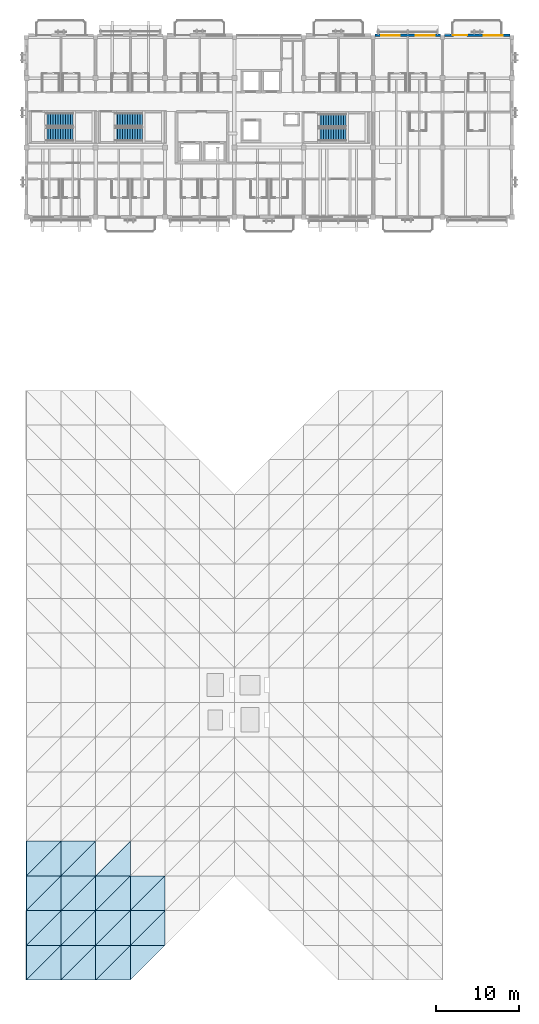
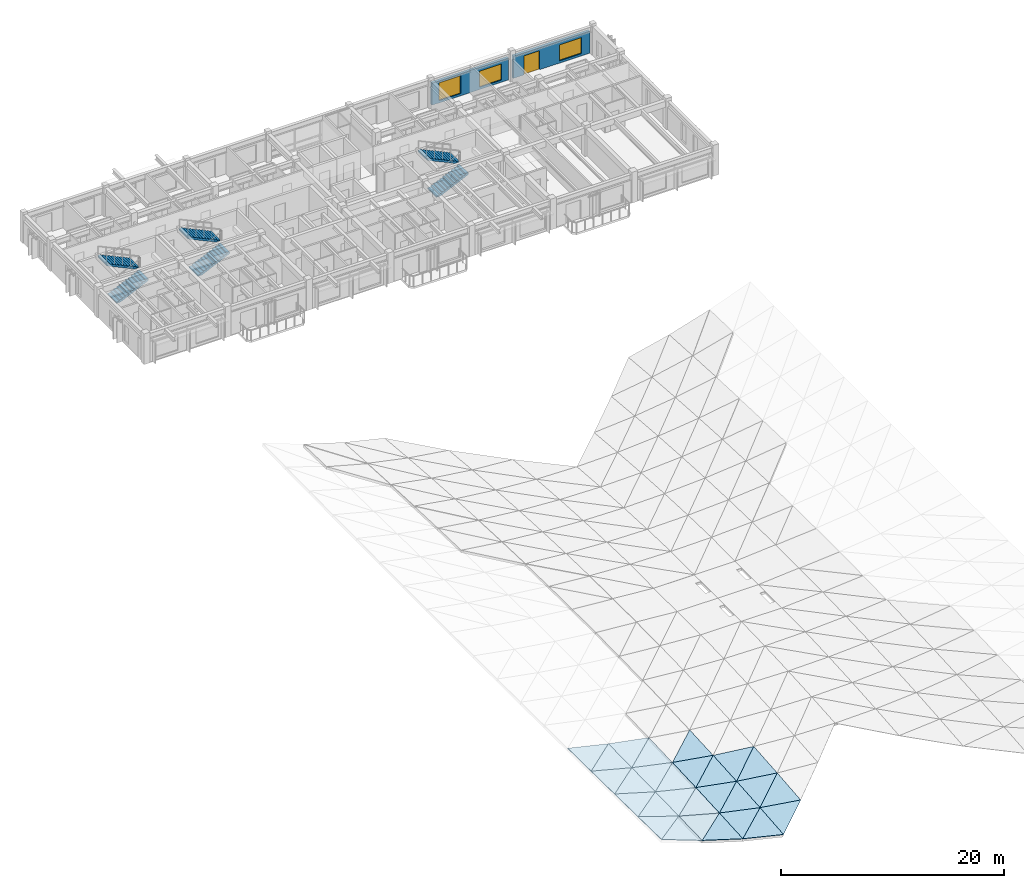
# One storey, part 18 of 31: 28 roofs, 6 stair flights, 3 windows, 2 walls, 1 door, 4 openings, 3 elements without a shape of their own.
"""IFC4 building model written with IfcOpenShell, lengths in metres."""

from ifc_helpers import new_model, si_unit, direction, frame, frame_2d, origin, place, context, subcontext, project, spatial, polyline, rectangle, outline, extrude, material, layer, layer_set, type_object, element, fill, aggregate, save


model = new_model("IFC4")

# Units and contexts
model_context = context("Model", 3, precision=1e-05, world=origin(), true_north=direction((0.0, 1.0)))
body_context = subcontext(model_context, "Body", "Model", "MODEL_VIEW")
ifc_project = project(units=[si_unit("LENGTHUNIT", "METRE"), si_unit("AREAUNIT", "SQUARE_METRE"), si_unit("VOLUMEUNIT", "CUBIC_METRE"), si_unit("PLANEANGLEUNIT", "RADIAN"), si_unit("MASSUNIT", "GRAM", prefix="KILO")], contexts=[model_context])

# Site, building, storey
site_placement = place(None, origin())
site = spatial("IfcSite", under=ifc_project, at=site_placement, CompositionType="ELEMENT")
building_placement = place(site_placement, origin())
building = spatial("IfcBuilding", under=site, at=building_placement, Name="Cumbredor Promenade Congress Hotel", CompositionType="ELEMENT")
storey_placement = place(building_placement, frame((0.0, 0.0, 31.919921875)))
storey = spatial("IfcBuildingStorey", under=building, at=storey_placement, Name="L09", CompositionType="ELEMENT", Elevation=31.919921875)

# Wall, openings, windows
ifc_material_1 = material(Name="Concrete C40/50", Category="concrete")
ifc_layer_1 = layer(ifc_material_1, 0.260009765625, Name="Concrete C40/50", Category="concrete")
ifc_layer_set_1 = layer_set([ifc_layer_1], Name="Concrete C40/50")
wall_type_1 = type_object("IfcWallType", Name="WL-EXT-260", PredefinedType="SOLIDWALL", material=ifc_layer_set_1)
wall_1_placement = place(storey_placement, frame((50.65087890625, 114.39990234375, 0.0), z_axis=(0.0, 0.0, 1.0), x_axis=(1.0, 0.0, 0.0)))
wall_1 = element("IfcWall", 1, at=wall_1_placement, inside=storey, type_object=wall_type_1, Name="L09 Stepped Congress Hotel Wing North Envelope Wall 6", PredefinedType="SOLIDWALL", context=body_context, shape_type="SweptSolid", body=[
    extrude(rectangle(XDim=7.898193359375, YDim=0.260009765625, at=frame_2d((3.94921875, 0.0))), origin(), (0.0, 0.0, 1.0), 2.4140625),
])
opening_1_placement = place(wall_1_placement, frame((0.72412109375, 0.0, 0.25)))
opening_1 = element("IfcOpeningElement", 2, at=opening_1_placement, cuts=wall_1, Name="Opening WN-07", PredefinedType="OPENING", context=body_context, shape_type="SweptSolid", body=[
    extrude(rectangle(XDim=2.25, YDim=1.949951171875, at=frame_2d((1.125, 0.97509765625))), frame((0.0, 0.14013671875, 0.0), z_axis=(0.0, -1.0, 0.0), x_axis=(1.0, 0.0, 0.0)), (0.0, 0.0, 1.0), 0.280029296875),
])
opening_2_placement = place(wall_1_placement, frame((4.89892578125, 0.0, 0.25)))
opening_2 = element("IfcOpeningElement", 3, at=opening_2_placement, cuts=wall_1, Name="Opening WN-25", PredefinedType="OPENING", context=body_context, shape_type="SweptSolid", body=[
    extrude(rectangle(XDim=2.300048828125, YDim=1.75, at=frame_2d((1.14990234375, 0.875))), frame((0.0, 0.14013671875, 0.0), z_axis=(0.0, -1.0, 0.0), x_axis=(1.0, 0.0, 0.0)), (0.0, 0.0, 1.0), 0.280029296875),
])
ifc_material_2 = material(Name="Thermally broken anodized aluminium and low-E glass", Category="aluminium")
window_type_1 = type_object("IfcWindowType", Name="Hospitality Floor-to-Ceiling Window WN-07 2250x1950", PartitioningType="DOUBLE_PANEL_VERTICAL", PredefinedType="WINDOW", material=ifc_material_2)
window_1_placement = place(opening_1_placement, origin())
window_1 = element("IfcWindow", 4, at=window_1_placement, inside=storey, type_object=window_type_1, Name="L09 Wide Hospitality Window 0695", OverallHeight=1.949951171875, OverallWidth=2.25, PartitioningType="DOUBLE_PANEL_VERTICAL", PredefinedType="WINDOW", context=body_context, shape_type="SweptSolid", body=[
    extrude(rectangle(XDim=2.25, YDim=1.949951171875, at=frame_2d((1.125, 0.97509765625))), frame((0.0, 0.030029296875, 0.0), z_axis=(0.0, -1.0, 0.0), x_axis=(1.0, 0.0, 0.0)), (0.0, 0.0, 1.0), 0.06005859375),
])
fill(opening_1, window_1)
window_type_2 = type_object("IfcWindowType", Name="Hospitality Floor-to-Ceiling Window WN-25 2300x1750", PartitioningType="DOUBLE_PANEL_VERTICAL", PredefinedType="WINDOW", material=ifc_material_2)
window_2_placement = place(opening_2_placement, origin())
window_2 = element("IfcWindow", 5, at=window_2_placement, inside=storey, type_object=window_type_2, Name="L09 Wide Hospitality Window 0696", OverallHeight=1.75, OverallWidth=2.300048828125, PartitioningType="DOUBLE_PANEL_VERTICAL", PredefinedType="WINDOW", context=body_context, shape_type="SweptSolid", body=[
    extrude(rectangle(XDim=2.300048828125, YDim=1.75, at=frame_2d((1.14990234375, 0.875))), frame((0.0, 0.030029296875, 0.0), z_axis=(0.0, -1.0, 0.0), x_axis=(1.0, 0.0, 0.0)), (0.0, 0.0, 1.0), 0.06005859375),
])
fill(opening_2, window_2)

# Wall, openings, door, window
ifc_layer_2 = layer(ifc_material_1, 0.280029296875, Name="Concrete C40/50", Category="concrete")
ifc_layer_set_2 = layer_set([ifc_layer_2], Name="Concrete C40/50")
wall_type_2 = type_object("IfcWallType", Name="WL-EXT-280", PredefinedType="SOLIDWALL", material=ifc_layer_set_2)
wall_2_placement = place(storey_placement, frame((59.051025390625, 114.39990234375, 0.0), z_axis=(0.0, 0.0, 1.0), x_axis=(1.0, 0.0, 0.0)))
wall_2 = element("IfcWall", 6, at=wall_2_placement, inside=storey, type_object=wall_type_2, Name="L09 Stepped Congress Hotel Wing North Envelope Wall 7", PredefinedType="SOLIDWALL", context=body_context, shape_type="SweptSolid", body=[
    extrude(rectangle(XDim=7.89794921875, YDim=0.280029296875, at=frame_2d((3.948974609375, 0.0))), origin(), (0.0, 0.0, 1.0), 2.4140625),
])
opening_3_placement = place(wall_2_placement, frame((1.073974609375, 0.0, 0.0)))
opening_3 = element("IfcOpeningElement", 7, at=opening_3_placement, cuts=wall_2, Name="Opening TD-02", PredefinedType="OPENING", context=body_context, shape_type="SweptSolid", body=[
    extrude(rectangle(XDim=1.64990234375, YDim=2.080078125, at=frame_2d((0.824951171875, 1.0400390625))), frame((0.0, 0.14990234375, 0.0), z_axis=(0.0, -1.0, 0.0), x_axis=(1.0, 0.0, 0.0)), (0.0, 0.0, 1.0), 0.300048828125),
])
opening_4_placement = place(wall_2_placement, frame((4.7490234375, 0.0, 0.25)))
opening_4 = element("IfcOpeningElement", 8, at=opening_4_placement, cuts=wall_2, Name="Opening WN-25", PredefinedType="OPENING", context=body_context, shape_type="SweptSolid", body=[
    extrude(rectangle(XDim=2.300048828125, YDim=1.75, at=frame_2d((1.14990234375, 0.875))), frame((0.0, 0.14990234375, 0.0), z_axis=(0.0, -1.0, 0.0), x_axis=(1.0, 0.0, 0.0)), (0.0, 0.0, 1.0), 0.300048828125),
])
ifc_material_3 = material(Name="Thermally broken anodized aluminium and laminated safety glass", Category="aluminium")
door_type = type_object("IfcDoorType", Name="EXT-DR-TER-1650x2080", OperationType="DOUBLE_DOOR_SINGLE_SWING", PredefinedType="DOOR", material=ifc_material_3)
door_placement = place(opening_3_placement, origin())
door = element("IfcDoor", 9, at=door_placement, inside=storey, type_object=door_type, Name="L09 Guestroom Veranda Balcony Door 094", OperationType="DOUBLE_DOOR_SINGLE_SWING", OverallHeight=2.080078125, OverallWidth=1.64990234375, PredefinedType="DOOR", context=body_context, shape_type="SweptSolid", body=[
    extrude(rectangle(XDim=1.64990234375, YDim=2.080078125, at=frame_2d((0.824951171875, 1.0400390625))), frame((0.0, 0.02490234375, 0.0), z_axis=(0.0, -1.0, 0.0), x_axis=(1.0, 0.0, 0.0)), (0.0, 0.0, 1.0), 0.050048828125),
])
fill(opening_3, door)
window_3_placement = place(opening_4_placement, origin())
window_3 = element("IfcWindow", 10, at=window_3_placement, inside=storey, type_object=window_type_2, Name="L09 Veranda Companion Floor-to-Ceiling Window 0697", OverallHeight=1.75, OverallWidth=2.300048828125, PartitioningType="DOUBLE_PANEL_VERTICAL", PredefinedType="WINDOW", context=body_context, shape_type="SweptSolid", body=[
    extrude(rectangle(XDim=2.300048828125, YDim=1.75, at=frame_2d((1.14990234375, 0.875))), frame((0.0, 0.030029296875, 0.0), z_axis=(0.0, -1.0, 0.0), x_axis=(1.0, 0.0, 0.0)), (0.0, 0.0, 1.0), 0.06005859375),
])
fill(opening_4, window_3)

# Stair, stair flights
stair_type_1 = type_object("IfcStairType", Name="Protected Dog-Leg Exit Stair ST-T1 1550mm", PredefinedType="HALF_TURN_STAIR", material=ifc_material_1)
stair_1_placement = place(storey_placement, origin())
stair_1 = element("IfcStair", 11, at=stair_1_placement, inside=storey, type_object=stair_type_1, Name="L09 Protected Exit Stair ST-03", PredefinedType="HALF_TURN_STAIR")
stair_flight_type_1 = type_object("IfcStairFlightType", Name="Concrete Stair Flight SFL-T1 1550mm", PredefinedType="STRAIGHT", material=ifc_material_1)
stair_flight_1_placement = place(storey_placement, frame((43.800048828125, 102.39501953125, 0.0), z_axis=(0.0, 0.0, 1.0), x_axis=(1.0, 0.0, 0.0)))
stair_flight_1 = element("IfcStairFlight", 12, at=stair_flight_1_placement, type_object=stair_flight_type_1, Name="ST-03 flight 1", NumberOfRisers=12, NumberOfTreads=11, PredefinedType="STRAIGHT", RiserHeight=0.14, TreadLength=0.3, context=body_context, shape_type="SweptSolid", body=[
    extrude(outline(polyline([(0.0, 0.0), (0.0, 0.139892578125), (0.300048828125, 0.139892578125), (0.300048828125, 0.280029296875), (0.60009765625, 0.280029296875), (0.60009765625, 0.419921875), (0.89990234375, 0.419921875), (0.89990234375, 0.56005859375), (1.199951171875, 0.56005859375), (1.199951171875, 0.699951171875), (1.5, 0.699951171875), (1.5, 0.840087890625), (1.800048828125, 0.840087890625), (1.800048828125, 0.97998046875), (2.10009765625, 0.97998046875), (2.10009765625, 1.1201171875), (2.39990234375, 1.1201171875), (2.39990234375, 1.260009765625), (2.699951171875, 1.260009765625), (2.699951171875, 1.39990234375), (3.0, 1.39990234375), (3.0, 1.5400390625), (3.300048828125, 1.5400390625), (3.300048828125, 1.679931640625), (3.300048828125, 1.341552734375), (0.425537109375, 0.0), (0.0, 0.0)])), frame((0.0, 0.77490234375, 0.0), z_axis=(0.0, -1.0, 0.0), x_axis=(1.0, 0.0, 0.0)), (0.0, 0.0, 1.0), 1.550048828125),
])
stair_flight_2_placement = place(storey_placement, frame((47.10009765625, 104.094970703125, 1.68017578125), z_axis=(0.0, 0.0, 1.0), x_axis=(-1.0, 0.0, 0.0)))
stair_flight_2 = element("IfcStairFlight", 13, at=stair_flight_2_placement, type_object=stair_flight_type_1, Name="ST-03 flight 2", NumberOfRisers=12, NumberOfTreads=11, PredefinedType="STRAIGHT", RiserHeight=0.14, TreadLength=0.3, context=body_context, shape_type="SweptSolid", body=[
    extrude(outline(polyline([(0.0, 0.0), (0.0, 0.139892578125), (0.300048828125, 0.139892578125), (0.300048828125, 0.280029296875), (0.60009765625, 0.280029296875), (0.60009765625, 0.419921875), (0.89990234375, 0.419921875), (0.89990234375, 0.56005859375), (1.199951171875, 0.56005859375), (1.199951171875, 0.699951171875), (1.5, 0.699951171875), (1.5, 0.840087890625), (1.800048828125, 0.840087890625), (1.800048828125, 0.97998046875), (2.10009765625, 0.97998046875), (2.10009765625, 1.1201171875), (2.39990234375, 1.1201171875), (2.39990234375, 1.260009765625), (2.699951171875, 1.260009765625), (2.699951171875, 1.39990234375), (3.0, 1.39990234375), (3.0, 1.5400390625), (3.300048828125, 1.5400390625), (3.300048828125, 1.679931640625), (3.300048828125, 1.341552734375), (0.425537109375, 0.0), (0.0, 0.0)])), frame((0.0, 0.77490234375, 0.0), z_axis=(0.0, -1.0, 0.0), x_axis=(1.0, 0.0, 0.0)), (0.0, 0.0, 1.0), 1.550048828125),
])
aggregate(stair_1, [stair_flight_1, stair_flight_2])

stair_type_2 = type_object("IfcStairType", Name="Protected Dog-Leg Exit Stair ST-T2 1600mm", PredefinedType="HALF_TURN_STAIR", material=ifc_material_1)
stair_2_placement = place(storey_placement, origin())
stair_2 = element("IfcStair", 14, at=stair_2_placement, inside=storey, type_object=stair_type_2, Name="L09 Protected Exit Stair ST-01", PredefinedType="HALF_TURN_STAIR")
stair_flight_type_2 = type_object("IfcStairFlightType", Name="Concrete Stair Flight SFL-T2 1600mm", PredefinedType="STRAIGHT", material=ifc_material_1)
stair_flight_3_placement = place(storey_placement, frame((10.75, 102.419921875, 0.0), z_axis=(0.0, 0.0, 1.0), x_axis=(1.0, 0.0, 0.0)))
stair_flight_3 = element("IfcStairFlight", 15, at=stair_flight_3_placement, type_object=stair_flight_type_2, Name="ST-01 flight 1", NumberOfRisers=12, NumberOfTreads=11, PredefinedType="STRAIGHT", RiserHeight=0.14, TreadLength=0.3, context=body_context, shape_type="SweptSolid", body=[
    extrude(outline(polyline([(0.0, 0.0), (0.0, 0.139892578125), (0.300048828125, 0.139892578125), (0.300048828125, 0.280029296875), (0.60009765625, 0.280029296875), (0.60009765625, 0.419921875), (0.89990234375, 0.419921875), (0.89990234375, 0.56005859375), (1.199951171875, 0.56005859375), (1.199951171875, 0.699951171875), (1.5, 0.699951171875), (1.5, 0.840087890625), (1.800048828125, 0.840087890625), (1.800048828125, 0.97998046875), (2.10009765625, 0.97998046875), (2.10009765625, 1.1201171875), (2.39990234375, 1.1201171875), (2.39990234375, 1.260009765625), (2.699951171875, 1.260009765625), (2.699951171875, 1.39990234375), (3.0, 1.39990234375), (3.0, 1.5400390625), (3.300048828125, 1.5400390625), (3.300048828125, 1.679931640625), (3.300048828125, 1.341552734375), (0.425537109375, 0.0), (0.0, 0.0)])), frame((0.0, 0.800048828125, 0.0), z_axis=(0.0, -1.0, 0.0), x_axis=(1.0, 0.0, 0.0)), (0.0, 0.0, 1.0), 1.60009765625),
])
stair_flight_4_placement = place(storey_placement, frame((14.050048828125, 104.169921875, 1.68017578125), z_axis=(0.0, 0.0, 1.0), x_axis=(-1.0, 0.0, 0.0)))
stair_flight_4 = element("IfcStairFlight", 16, at=stair_flight_4_placement, type_object=stair_flight_type_2, Name="ST-01 flight 2", NumberOfRisers=12, NumberOfTreads=11, PredefinedType="STRAIGHT", RiserHeight=0.14, TreadLength=0.3, context=body_context, shape_type="SweptSolid", body=[
    extrude(outline(polyline([(0.0, 0.0), (0.0, 0.139892578125), (0.300048828125, 0.139892578125), (0.300048828125, 0.280029296875), (0.60009765625, 0.280029296875), (0.60009765625, 0.419921875), (0.89990234375, 0.419921875), (0.89990234375, 0.56005859375), (1.199951171875, 0.56005859375), (1.199951171875, 0.699951171875), (1.5, 0.699951171875), (1.5, 0.840087890625), (1.800048828125, 0.840087890625), (1.800048828125, 0.97998046875), (2.10009765625, 0.97998046875), (2.10009765625, 1.1201171875), (2.39990234375, 1.1201171875), (2.39990234375, 1.260009765625), (2.699951171875, 1.260009765625), (2.699951171875, 1.39990234375), (3.0, 1.39990234375), (3.0, 1.5400390625), (3.300048828125, 1.5400390625), (3.300048828125, 1.679931640625), (3.300048828125, 1.341552734375), (0.425537109375, 0.0), (0.0, 0.0)])), frame((0.0, 0.800048828125, 0.0), z_axis=(0.0, -1.0, 0.0), x_axis=(1.0, 0.0, 0.0)), (0.0, 0.0, 1.0), 1.60009765625),
])
aggregate(stair_2, [stair_flight_3, stair_flight_4])

stair_3_placement = place(storey_placement, origin())
stair_3 = element("IfcStair", 17, at=stair_3_placement, inside=storey, type_object=stair_type_2, Name="L09 Protected Exit Stair ST-02", PredefinedType="HALF_TURN_STAIR")
stair_flight_5_placement = place(storey_placement, frame((19.14990234375, 102.419921875, 0.0), z_axis=(0.0, 0.0, 1.0), x_axis=(1.0, 0.0, 0.0)))
stair_flight_5 = element("IfcStairFlight", 18, at=stair_flight_5_placement, type_object=stair_flight_type_2, Name="ST-02 flight 1", NumberOfRisers=12, NumberOfTreads=11, PredefinedType="STRAIGHT", RiserHeight=0.14, TreadLength=0.3, context=body_context, shape_type="SweptSolid", body=[
    extrude(outline(polyline([(0.0, 0.0), (0.0, 0.139892578125), (0.300048828125, 0.139892578125), (0.300048828125, 0.280029296875), (0.60009765625, 0.280029296875), (0.60009765625, 0.419921875), (0.89990234375, 0.419921875), (0.89990234375, 0.56005859375), (1.199951171875, 0.56005859375), (1.199951171875, 0.699951171875), (1.5, 0.699951171875), (1.5, 0.840087890625), (1.800048828125, 0.840087890625), (1.800048828125, 0.97998046875), (2.10009765625, 0.97998046875), (2.10009765625, 1.1201171875), (2.39990234375, 1.1201171875), (2.39990234375, 1.260009765625), (2.699951171875, 1.260009765625), (2.699951171875, 1.39990234375), (3.0, 1.39990234375), (3.0, 1.5400390625), (3.300048828125, 1.5400390625), (3.300048828125, 1.679931640625), (3.300048828125, 1.341552734375), (0.425537109375, 0.0), (0.0, 0.0)])), frame((0.0, 0.800048828125, 0.0), z_axis=(0.0, -1.0, 0.0), x_axis=(1.0, 0.0, 0.0)), (0.0, 0.0, 1.0), 1.60009765625),
])
stair_flight_6_placement = place(storey_placement, frame((22.449951171875, 104.169921875, 1.68017578125), z_axis=(0.0, 0.0, 1.0), x_axis=(-1.0, 0.0, 0.0)))
stair_flight_6 = element("IfcStairFlight", 19, at=stair_flight_6_placement, type_object=stair_flight_type_2, Name="ST-02 flight 2", NumberOfRisers=12, NumberOfTreads=11, PredefinedType="STRAIGHT", RiserHeight=0.14, TreadLength=0.3, context=body_context, shape_type="SweptSolid", body=[
    extrude(outline(polyline([(0.0, 0.0), (0.0, 0.139892578125), (0.300048828125, 0.139892578125), (0.300048828125, 0.280029296875), (0.60009765625, 0.280029296875), (0.60009765625, 0.419921875), (0.89990234375, 0.419921875), (0.89990234375, 0.56005859375), (1.199951171875, 0.56005859375), (1.199951171875, 0.699951171875), (1.5, 0.699951171875), (1.5, 0.840087890625), (1.800048828125, 0.840087890625), (1.800048828125, 0.97998046875), (2.10009765625, 0.97998046875), (2.10009765625, 1.1201171875), (2.39990234375, 1.1201171875), (2.39990234375, 1.260009765625), (2.699951171875, 1.260009765625), (2.699951171875, 1.39990234375), (3.0, 1.39990234375), (3.0, 1.5400390625), (3.300048828125, 1.5400390625), (3.300048828125, 1.679931640625), (3.300048828125, 1.341552734375), (0.425537109375, 0.0), (0.0, 0.0)])), frame((0.0, 0.800048828125, 0.0), z_axis=(0.0, -1.0, 0.0), x_axis=(1.0, 0.0, 0.0)), (0.0, 0.0, 1.0), 1.60009765625),
])
aggregate(stair_3, [stair_flight_5, stair_flight_6])

# Roofs
ifc_material_4 = material(Name="Standing-seam zinc-aluminium roofing", Category="aluminium")
ifc_layer_3 = layer(ifc_material_4, 0.050048828125, Name="Standing-seam zinc-aluminium roofing", Category="aluminium")
ifc_layer_set_3 = layer_set([ifc_layer_3], Name="Standing-seam zinc-aluminium roofing")
roof_type = type_object("IfcRoofType", Name="Sweeping Pavilion Standing-Seam Roof Skin 50mm", PredefinedType="FREEFORM", material=ifc_layer_set_3)
roof_1_placement = place(storey_placement, frame((8.39990234375, 0.0, 3.8857421875), z_axis=(0.35108065082, -0.025517805151, 0.935997445638), x_axis=(0.936302335835, 0.0, -0.351195011227)))
element("IfcRoof", 20, at=roof_1_placement, inside=storey, type_object=roof_type, Name="Plenary Congress Hall Standing-Seam Roof Skin 4.1.1", PredefinedType="FREEFORM", context=body_context, shape_type="SweptSolid", body=[
    extrude(outline(polyline([(0.0, 0.0), (4.485939158482845, 0.0), (4.445726643769649, 4.201319256741157), (0.0, 0.0)])), origin(), (0.0, 0.0, -1.0), 0.050048828125),
])
roof_2_placement = place(storey_placement, frame((8.39990234375, 0.0, 3.8857421875), z_axis=(0.314567093769, 0.015558238685, 0.949107730833), x_axis=(0.686662466981, 0.686622554027, -0.23883911895)))
element("IfcRoof", 21, at=roof_2_placement, inside=storey, type_object=roof_type, Name="Plenary Congress Hall Standing-Seam Roof Skin 4.1.2", PredefinedType="FREEFORM", context=body_context, shape_type="SweptSolid", body=[
    extrude(outline(polyline([(0.0, 0.0), (6.116826700846397, -6.661338147750939e-16), (2.900224713981546, 3.03858955015579), (0.0, 0.0)])), origin(), (0.0, 0.0, -1.0), 0.050048828125),
])
roof_3_placement = place(storey_placement, frame((8.39990234375, 4.199951171875, 3.81689453125), z_axis=(0.314524303969, -0.02267222085, 0.948978626005), x_axis=(0.949222621626, 0.0, -0.314605172548)))
element("IfcRoof", 22, at=roof_3_placement, inside=storey, type_object=roof_type, Name="Plenary Congress Hall Standing-Seam Roof Skin 4.2.1", PredefinedType="FREEFORM", context=body_context, shape_type="SweptSolid", body=[
    extrude(outline(polyline([(0.0, 0.0), (4.424879071366682, 3.469446951953614e-18), (4.393311023047078, 4.201031037811978), (0.0, 0.0)])), origin(), (0.0, 0.0, -1.0), 0.050048828125),
])
roof_4_placement = place(storey_placement, frame((8.39990234375, 4.199951171875, 3.81689453125), z_axis=(0.281318125125, 0.013776688355, 0.95951566706), x_axis=(0.690976351678, 0.690936187974, -0.212506154192)))
element("IfcRoof", 23, at=roof_4_placement, inside=storey, type_object=roof_type, Name="Plenary Congress Hall Standing-Seam Roof Skin 4.2.2", PredefinedType="FREEFORM", context=body_context, shape_type="SweptSolid", body=[
    extrude(outline(polyline([(0.0, 0.0), (6.078638295365709, -8.326672684688674e-17), (2.9147129545431154, 3.024512300938092), (0.0, 0.0)])), origin(), (0.0, 0.0, -1.0), 0.050048828125),
])
roof_5_placement = place(storey_placement, frame((8.39990234375, 8.39990234375, 3.756591796875), z_axis=(0.281290613489, -0.019630114185, 0.959421830782), x_axis=(0.95960673669, 0.0, -0.281344825614)))
element("IfcRoof", 24, at=roof_5_placement, inside=storey, type_object=roof_type, Name="Plenary Congress Hall Standing-Seam Roof Skin 4.3.1", PredefinedType="FREEFORM", context=body_context, shape_type="SweptSolid", body=[
    extrude(outline(polyline([(0.0, 0.0), (4.3769964839859306, 0.0), (4.352818413034729, 4.201004800989675), (0.0, 0.0)])), origin(), (0.0, 0.0, -1.0), 0.050048828125),
])
roof_6_placement = place(storey_placement, frame((8.39990234375, 8.39990234375, 3.756591796875), z_axis=(0.251982628759, 0.011924177968, 0.967658291332), x_axis=(0.694313843408, 0.694313843408, -0.189358320929)))
element("IfcRoof", 25, at=roof_6_placement, inside=storey, type_object=roof_type, Name="Plenary Congress Hall Standing-Seam Roof Skin 4.3.2", PredefinedType="FREEFORM", context=body_context, shape_type="SweptSolid", body=[
    extrude(outline(polyline([(0.0, 0.0), (6.049418936955225, 1.6653345369377348e-16), (2.926054522954367, 3.013722691788356), (0.0, 0.0)])), origin(), (0.0, 0.0, -1.0), 0.050048828125),
])
roof_7_placement = place(storey_placement, frame((8.39990234375, 12.60009765625, 3.704833984375), z_axis=(0.251966322063, -0.01648000532, 0.967595670707), x_axis=(0.96772709241, 0.0, -0.252000544873)))
element("IfcRoof", 26, at=roof_7_placement, inside=storey, type_object=roof_type, Name="Plenary Congress Hall Standing-Seam Roof Skin 4.4.1", PredefinedType="FREEFORM", context=body_context, shape_type="SweptSolid", body=[
    extrude(outline(polyline([(0.0, 0.0), (4.340268393273275, 3.469446951953614e-18), (4.322241987109263, 4.2005216216518075), (0.0, 0.0)])), origin(), (0.0, 0.0, -1.0), 0.050048828125),
])
roof_8_placement = place(storey_placement, frame((8.39990234375, 12.60009765625, 3.704833984375), z_axis=(0.226989154907, 0.010019804461, 0.973845740902), x_axis=(0.696882813328, 0.696842306306, -0.169602902779)))
element("IfcRoof", 27, at=roof_8_placement, inside=storey, type_object=roof_type, Name="Plenary Congress Hall Standing-Seam Roof Skin 4.4.2", PredefinedType="FREEFORM", context=body_context, shape_type="SweptSolid", body=[
    extrude(outline(polyline([(0.0, 0.0), (6.027118522900852, -3.0531133177191805e-16), (2.934032692667439, 3.005479888205711), (0.0, 0.0)])), origin(), (0.0, 0.0, -1.0), 0.050048828125),
])
roof_9_placement = place(storey_placement, frame((12.60009765625, 0.0, 2.310302734375), z_axis=(0.292832493061, -0.060130786603, 0.954271145697), x_axis=(0.956001022742, 0.0, -0.293363331922)))
element("IfcRoof", 28, at=roof_9_placement, inside=storey, type_object=roof_type, Name="Plenary Congress Hall Standing-Seam Roof Skin 5.1.1", PredefinedType="FREEFORM", context=body_context, shape_type="SweptSolid", body=[
    extrude(outline(polyline([(0.0, 0.0), (4.393249663927177, 0.0), (4.315611516514219, 4.20756473030085), (0.0, 0.0)])), origin(), (0.0, 0.0, -1.0), 0.050048828125),
])
roof_10_placement = place(storey_placement, frame((12.60009765625, 0.0, 2.310302734375), z_axis=(0.261578655926, -0.026303685598, 0.964823674506), x_axis=(0.696823641753, 0.696823641753, -0.169922407554)))
element("IfcRoof", 29, at=roof_10_placement, inside=storey, type_object=roof_type, Name="Plenary Congress Hall Standing-Seam Roof Skin 5.1.2", PredefinedType="FREEFORM", context=body_context, shape_type="SweptSolid", body=[
    extrude(outline(polyline([(0.0, 0.0), (6.027279960408494, 4.163336342344337e-16), (2.907168823224873, 3.033326552923858), (0.0, 0.0)])), origin(), (0.0, 0.0, -1.0), 0.050048828125),
])
roof_11_placement = place(storey_placement, frame((12.60009765625, 4.199951171875, 2.4248046875), z_axis=(0.261299870241, -0.05311155167, 0.963795383311), x_axis=(0.965157620777, 0.0, -0.261669193937)))
element("IfcRoof", 30, at=roof_11_placement, inside=storey, type_object=roof_type, Name="Plenary Congress Hall Standing-Seam Roof Skin 5.2.1", PredefinedType="FREEFORM", context=body_context, shape_type="SweptSolid", body=[
    extrude(outline(polyline([(0.0, 0.0), (4.351570232117391, 0.0), (4.291008123754934, 4.205887422392936), (0.0, 0.0)])), origin(), (0.0, 0.0, -1.0), 0.050048828125),
])
roof_12_placement = place(storey_placement, frame((12.60009765625, 4.199951171875, 2.4248046875), z_axis=(0.233218094086, -0.023225741863, 0.972147049322), x_axis=(0.698999988366, 0.698999988366, -0.150990173619)))
element("IfcRoof", 31, at=roof_12_placement, inside=storey, type_object=roof_type, Name="Plenary Congress Hall Standing-Seam Roof Skin 5.2.2", PredefinedType="FREEFORM", context=body_context, shape_type="SweptSolid", body=[
    extrude(outline(polyline([(0.0, 0.0), (6.00851393673793, 2.7755575615628914e-17), (2.920615194945767, 3.0198783428122056), (0.0, 0.0)])), origin(), (0.0, 0.0, -1.0), 0.050048828125),
])
roof_13_placement = place(storey_placement, frame((12.60009765625, 8.39990234375, 2.525146484375), z_axis=(0.233035108838, -0.045904175205, 0.971384293031), x_axis=(0.972409360565, 0.0, -0.233281022557)))
element("IfcRoof", 32, at=roof_13_placement, inside=storey, type_object=roof_type, Name="Plenary Congress Hall Standing-Seam Roof Skin 5.3.1", PredefinedType="FREEFORM", context=body_context, shape_type="SweptSolid", body=[
    extrude(outline(polyline([(0.0, 0.0), (4.319118410618978, 0.0), (4.2728153170303464, 4.204627630257361), (0.0, 0.0)])), origin(), (0.0, 0.0, -1.0), 0.050048828125),
])
roof_14_placement = place(storey_placement, frame((12.60009765625, 8.39990234375, 2.525146484375), z_axis=(0.208380686803, -0.020007020789, 0.977843141044), x_axis=(0.700616426161, 0.700657152571, -0.134967321764)))
element("IfcRoof", 33, at=roof_14_placement, inside=storey, type_object=roof_type, Name="Plenary Congress Hall Standing-Seam Roof Skin 5.3.2", PredefinedType="FREEFORM", context=body_context, shape_type="SweptSolid", body=[
    extrude(outline(polyline([(0.0, 0.0), (5.994651302834285, -1.1102230246251565e-16), (2.9312981336843222, 3.0094047864174134), (0.0, 0.0)])), origin(), (0.0, 0.0, -1.0), 0.050048828125),
])
roof_15_placement = place(storey_placement, frame((12.60009765625, 12.60009765625, 2.611083984375), z_axis=(0.208267739017, -0.038517601488, 0.97731312447), x_axis=(0.978038905774, 0.0, -0.20842240473)))
element("IfcRoof", 34, at=roof_15_placement, inside=storey, type_object=roof_type, Name="Plenary Congress Hall Standing-Seam Roof Skin 5.4.1", PredefinedType="FREEFORM", context=body_context, shape_type="SweptSolid", body=[
    extrude(outline(polyline([(0.0, 0.0), (4.294257771426065, 0.0), (4.259758164393164, 4.203070178426442), (0.0, 0.0)])), origin(), (0.0, 0.0, -1.0), 0.050048828125),
])
roof_16_placement = place(storey_placement, frame((12.60009765625, 12.60009765625, 2.611083984375), z_axis=(0.187319412076, -0.016728006016, 0.9821566126), x_axis=(0.701833290061, 0.701833290061, -0.121901870063)))
element("IfcRoof", 35, at=roof_16_placement, inside=storey, type_object=roof_type, Name="Plenary Congress Hall Standing-Seam Roof Skin 5.4.2", PredefinedType="FREEFORM", context=body_context, shape_type="SweptSolid", body=[
    extrude(outline(polyline([(0.0, 0.0), (5.984257559956114, 6.938893903907228e-17), (2.9389455178190267, 3.001217434404738), (0.0, 0.0)])), origin(), (0.0, 0.0, -1.0), 0.050048828125),
])
roof_17_placement = place(storey_placement, frame((16.800048828125, 0.0, 1.021484375), z_axis=(0.231257969912, -0.087974902339, 0.968906686895), x_axis=(0.972678059786, 0.0, -0.232158118554)))
element("IfcRoof", 36, at=roof_17_placement, inside=storey, type_object=roof_type, Name="Plenary Congress Hall Standing-Seam Roof Skin 6.1.1", PredefinedType="FREEFORM", context=body_context, shape_type="SweptSolid", body=[
    extrude(outline(polyline([(0.0, 0.0), (4.317925267891822, 0.0), (4.229392313501893, 4.2162990639954065), (0.0, 0.0)])), origin(), (0.0, 0.0, -1.0), 0.050048828125),
])
roof_18_placement = place(storey_placement, frame((16.800048828125, 0.0, 1.021484375), z_axis=(0.205963343256, -0.061539212814, 0.976622765719), x_axis=(0.703272296544, 0.703272296544, -0.104000739546)))
element("IfcRoof", 37, at=roof_18_placement, inside=storey, type_object=roof_type, Name="Plenary Congress Hall Standing-Seam Roof Skin 6.1.2", PredefinedType="FREEFORM", context=body_context, shape_type="SweptSolid", body=[
    extrude(outline(polyline([(0.0, 0.0), (5.972012821365794, -5.551115123125783e-17), (2.9261856727995275, 3.0244116865777637), (0.0, 0.0)])), origin(), (0.0, 0.0, -1.0), 0.050048828125),
])
roof_19_placement = place(storey_placement, frame((16.800048828125, 4.199951171875, 1.2861328125), z_axis=(0.205733512795, -0.077518663724, 0.975532971502), x_axis=(0.978477306539, 0.0, -0.206354453765)))
element("IfcRoof", 38, at=roof_19_placement, inside=storey, type_object=roof_type, Name="Plenary Congress Hall Standing-Seam Roof Skin 6.2.1", PredefinedType="FREEFORM", context=body_context, shape_type="SweptSolid", body=[
    extrude(outline(polyline([(0.0, 0.0), (4.292333755528742, -2.7755575615628914e-17), (4.223464971764824, 4.212627384518805), (0.0, 0.0)])), origin(), (0.0, 0.0, -1.0), 0.050048828125),
])
roof_20_placement = place(storey_placement, frame((16.800048828125, 4.199951171875, 1.2861328125), z_axis=(0.183105679029, -0.054092921072, 0.981603925317), x_axis=(0.704072781143, 0.704072781143, -0.09253668303)))
element("IfcRoof", 39, at=roof_20_placement, inside=storey, type_object=roof_type, Name="Plenary Congress Hall Standing-Seam Roof Skin 6.2.2", PredefinedType="FREEFORM", context=body_context, shape_type="SweptSolid", body=[
    extrude(outline(polyline([(0.0, 0.0), (5.965223034264703, 2.220446049250313e-16), (2.9356541207266256, 3.0124892800262693), (0.0, 0.0)])), origin(), (0.0, 0.0, -1.0), 0.050048828125),
])
roof_21_placement = place(storey_placement, frame((16.800048828125, 8.39990234375, 1.517578125), z_axis=(0.182965033899, -0.066762106911, 0.98084994645), x_axis=(0.9830431928, 0.0, -0.183374156002)))
element("IfcRoof", 40, at=roof_21_placement, inside=storey, type_object=roof_type, Name="Plenary Congress Hall Standing-Seam Roof Skin 6.3.1", PredefinedType="FREEFORM", context=body_context, shape_type="SweptSolid", body=[
    extrude(outline(polyline([(0.0, 0.0), (4.272397390710451, -6.938893903907228e-18), (4.219972796794953, 4.209587231286011), (0.0, 0.0)])), origin(), (0.0, 0.0, -1.0), 0.050048828125),
])
roof_22_placement = place(storey_placement, frame((16.800048828125, 8.39990234375, 1.517578125), z_axis=(0.16331947342, -0.046569980355, 0.985473483424), x_axis=(0.704618435699, 0.704659394743, -0.083474531881)))
element("IfcRoof", 41, at=roof_22_placement, inside=storey, type_object=roof_type, Name="Plenary Congress Hall Standing-Seam Roof Skin 6.3.2", PredefinedType="FREEFORM", context=body_context, shape_type="SweptSolid", body=[
    extrude(outline(polyline([(0.0, 0.0), (5.960603582146329, 3.191891195797325e-16), (2.9431385333848286, 3.003160511678476), (0.0, 0.0)])), origin(), (0.0, 0.0, -1.0), 0.050048828125),
])
roof_23_placement = place(storey_placement, frame((16.800048828125, 12.60009765625, 1.716064453125), z_axis=(0.163240843778, -0.055940478559, 0.984999030345), x_axis=(0.986543854023, 0.0, -0.16349686263)))
element("IfcRoof", 42, at=roof_23_placement, inside=storey, type_object=roof_type, Name="Plenary Congress Hall Standing-Seam Roof Skin 6.4.1", PredefinedType="FREEFORM", context=body_context, shape_type="SweptSolid", body=[
    extrude(outline(polyline([(0.0, 0.0), (4.257237176785217, 6.938893903907228e-18), (4.2182390237605, 4.206538167206812), (0.0, 0.0)])), origin(), (0.0, 0.0, -1.0), 0.050048828125),
])
roof_24_placement = place(storey_placement, frame((21.0, 0.0, 0.01904296875), z_axis=(0.148392794585, -0.089424978836, 0.984877023631), x_axis=(0.706473921055, 0.706473921055, -0.042298909416)))
element("IfcRoof", 43, at=roof_24_placement, inside=storey, type_object=roof_type, Name="Plenary Congress Hall Standing-Seam Roof Skin 7.1.2", PredefinedType="FREEFORM", context=body_context, shape_type="SweptSolid", body=[
    extrude(outline(polyline([(0.0, 0.0), (5.944948633916914, 3.0531133177191805e-16), (2.951025382667089, 3.01271722402155), (0.0, 0.0)])), origin(), (0.0, 0.0, -1.0), 0.050048828125),
])
roof_25_placement = place(storey_placement, frame((21.0, 4.199951171875, 0.400390625), z_axis=(0.148311221461, -0.095326579843, 0.984335626077), x_axis=(0.988838745942, 0.0, -0.148989712811)))
element("IfcRoof", 44, at=roof_25_placement, inside=storey, type_object=roof_type, Name="Plenary Congress Hall Standing-Seam Roof Skin 7.2.1", PredefinedType="FREEFORM", context=body_context, shape_type="SweptSolid", body=[
    extrude(outline(polyline([(0.0, 0.0), (4.247357002453459, 1.3877787807814457e-17), (4.18675718274091, 4.21916502846466), (0.0, 0.0)])), origin(), (0.0, 0.0, -1.0), 0.050048828125),
])
roof_26_placement = place(storey_placement, frame((21.0, 4.199951171875, 0.400390625), z_axis=(0.131714249465, -0.078523061063, 0.988172801371), x_axis=(0.706595138181, 0.706595138181, -0.038034476426)))
element("IfcRoof", 45, at=roof_26_placement, inside=storey, type_object=roof_type, Name="Plenary Congress Hall Standing-Seam Roof Skin 7.2.2", PredefinedType="FREEFORM", context=body_context, shape_type="SweptSolid", body=[
    extrude(outline(polyline([(0.0, 0.0), (5.943928771835325, -2.2898349882893854e-16), (2.954971443569147, 3.0031843363113326), (0.0, 0.0)])), origin(), (0.0, 0.0, -1.0), 0.050048828125),
])
roof_27_placement = place(storey_placement, frame((21.0, 8.39990234375, 0.734130859375), z_axis=(0.131677267955, -0.081999218886, 0.987895351343), x_axis=(0.99123343534, 0.0, -0.132122203525)))
element("IfcRoof", 46, at=roof_27_placement, inside=storey, type_object=roof_type, Name="Plenary Congress Hall Standing-Seam Roof Skin 7.3.1", PredefinedType="FREEFORM", context=body_context, shape_type="SweptSolid", body=[
    extrude(outline(polyline([(0.0, 0.0), (4.237095947469426, 0.0), (4.191033812060931, 4.214387711255367), (0.0, 0.0)])), origin(), (0.0, 0.0, -1.0), 0.050048828125),
])
roof_28_placement = place(storey_placement, frame((21.0, 8.39990234375, 0.734130859375), z_axis=(0.117263600303, -0.067439928458, 0.99080830845), x_axis=(0.706639752235, 0.706680828777, -0.03553120884)))
element("IfcRoof", 47, at=roof_28_placement, inside=storey, type_object=roof_type, Name="Plenary Congress Hall Standing-Seam Roof Skin 7.3.2", PredefinedType="FREEFORM", context=body_context, shape_type="SweptSolid", body=[
    extrude(outline(polyline([(0.0, 0.0), (5.943553498927912, 1.1796119636642288e-16), (2.9580395343552617, 2.9955592314365496), (0.0, 0.0)])), origin(), (0.0, 0.0, -1.0), 0.050048828125),
])

save(model, "model.ifc")
